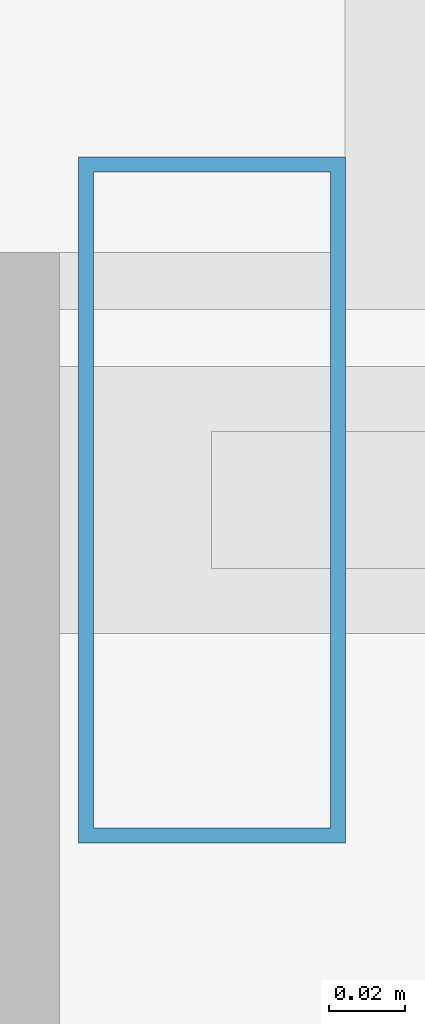
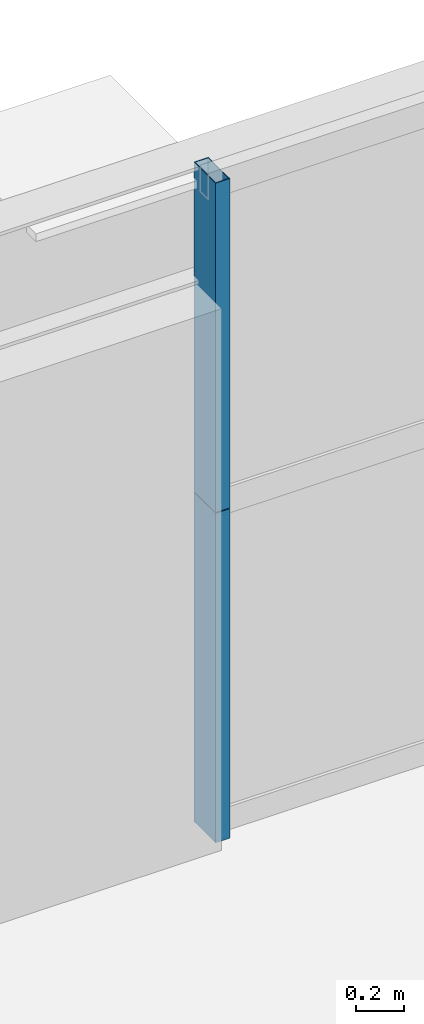
# One storey, part 27 of 45: 2 members, 1 element without a shape of its own.
"""IFC4 building model written with IfcOpenShell, lengths in metres."""

from ifc_helpers import new_model, si_unit, direction, frame, origin, origin_2d, place, context, subcontext, project, spatial, hollow_rectangle, extrude, source, transform, mapped, material, layer, layer_set, material_profile, profile_set, type_object, element, aggregate, save


model = new_model("IFC4")

# Units and contexts
model_context = context("Model", 3, precision=1e-05, world=origin(), true_north=direction((0.0, 1.0)))
body_context = subcontext(model_context, "Body", "Model", "MODEL_VIEW")
ifc_project = project(units=[si_unit("LENGTHUNIT", "METRE"), si_unit("AREAUNIT", "SQUARE_METRE"), si_unit("VOLUMEUNIT", "CUBIC_METRE"), si_unit("PLANEANGLEUNIT", "RADIAN"), si_unit("MASSUNIT", "GRAM", prefix="KILO"), si_unit("THERMODYNAMICTEMPERATUREUNIT", "KELVIN"), si_unit("POWERUNIT", "WATT")], contexts=[model_context])

# Site, building, storey
site_placement = place(None, origin())
site = spatial("IfcSite", under=ifc_project, at=site_placement, CompositionType="ELEMENT")
building_placement = place(site_placement, origin())
building = spatial("IfcBuilding", under=site, at=building_placement, Name="Yuzanri Waterfront Tower", CompositionType="ELEMENT")
storey_placement = place(building_placement, frame((0.0, 0.0, 34.199951171875)))
storey = spatial("IfcBuildingStorey", under=building, at=storey_placement, Name="L08", CompositionType="ELEMENT", Elevation=34.199951171875)

# Curtain wall, members
ifc_material_1 = material(Name="Anodized Architectural Bronze", Category="metal")
ifc_layer = layer(ifc_material_1, 0.159912109375)
ifc_layer_set = layer_set([ifc_layer], Name="Anodized Architectural Bronze")
curtain_wall_type = type_object("IfcCurtainWallType", Name="Anodized Bronze Hotel Lower-Tier Recessed Unitized Curtain Wall 8100", PredefinedType="NOTDEFINED", material=ifc_layer_set)
curtain_wall_placement = place(storey_placement, origin())
curtain_wall = element("IfcCurtainWall", 1, at=curtain_wall_placement, inside=storey, type_object=curtain_wall_type, Name="L08 Curtain Wall CW-L08-NL", PredefinedType="NOTDEFINED")
ifc_material_2 = material(Name="Anodized Architectural Bronze", Category="metal")
ifc_material_profile = material_profile(ifc_material_2, hollow_rectangle(XDim=0.070068359375, YDim=0.179931640625, WallThickness=0.00390625, at=origin_2d()), Name="CWM 70x180")
ifc_profile_set = profile_set([ifc_material_profile], Name="Anodized Architectural Bronze")
member_type = type_object("IfcMemberType", Name="Anodized Bronze Standard Curtain-Wall Mullion 70x180", PredefinedType="MULLION", material=ifc_profile_set)
shared_shape = source(origin(), body_context, "Body", "SweptSolid", [
    extrude(hollow_rectangle(XDim=0.070068359375, YDim=0.179931640625, WallThickness=0.00390625, at=origin_2d()), origin(), (0.0, 0.0, 1.0), 1.68798828125),
])
member_1_placement = place(storey_placement, frame((19.2900390625, 50.75, 0.0), z_axis=(0.0, 0.0, 1.0), x_axis=(1.0, 0.0, 0.0)))
member_1 = element("IfcMember", 2, at=member_1_placement, type_object=member_type, Name="CW-L08-NL Lower Mullion 00", PredefinedType="MULLION", context=body_context, shape_type="MappedRepresentation", body=[
    mapped(shared_shape, transform((0.0, 0.0, 0.0), scale=1.0)),
])
member_2_placement = place(storey_placement, frame((19.2900390625, 50.75, 1.692138671875), z_axis=(0.0, 0.0, 1.0), x_axis=(1.0, 0.0, 0.0)))
member_2 = element("IfcMember", 3, at=member_2_placement, type_object=member_type, Name="CW-L08-NL Upper Mullion 00", PredefinedType="MULLION", context=body_context, shape_type="MappedRepresentation", body=[
    mapped(shared_shape, transform((0.0, 0.0, 0.0), scale=1.0)),
])
aggregate(curtain_wall, [member_1, member_2])

save(model, "model.ifc")
